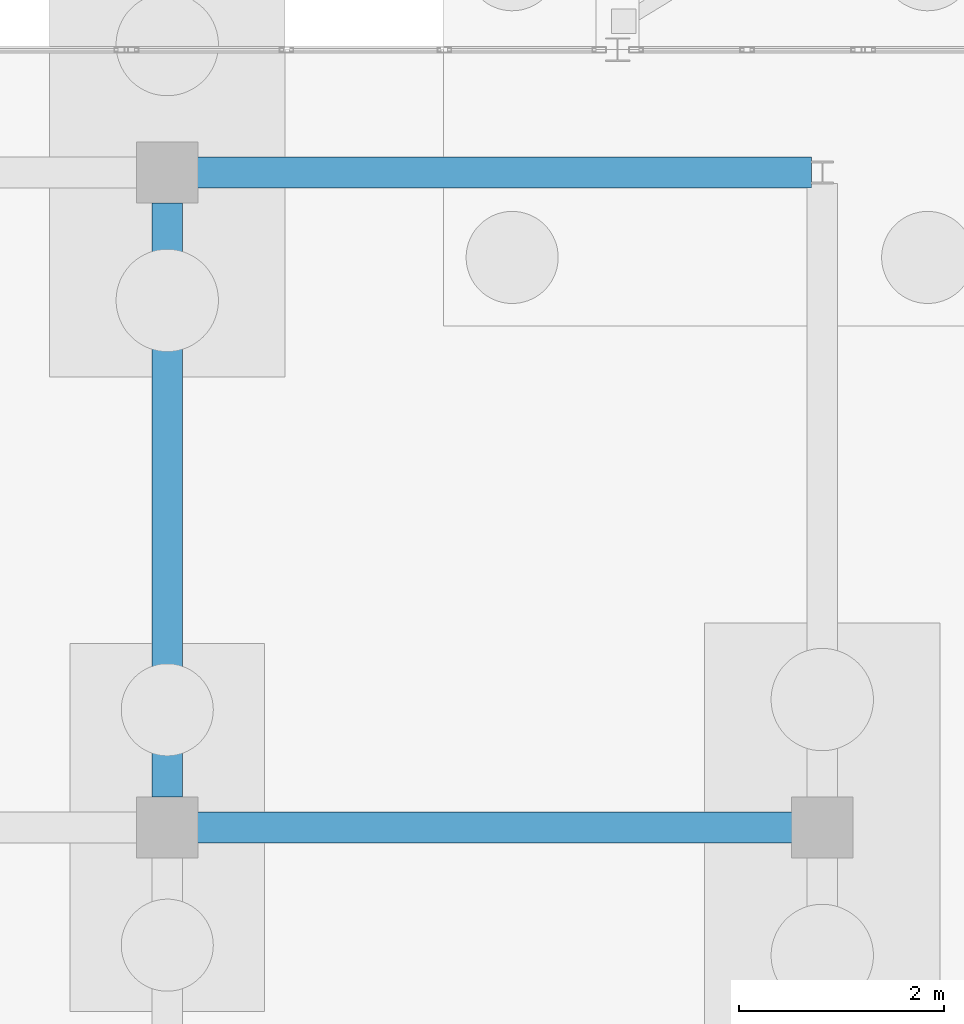
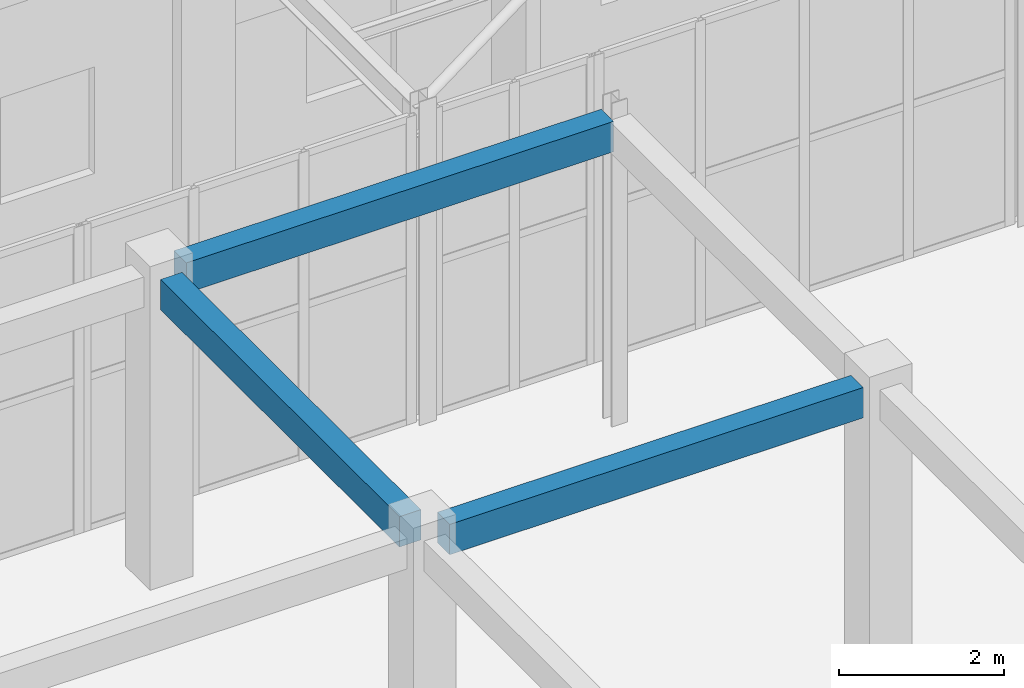
# One storey, part 89 of 192: 3 beams.
"""IFC4 building model written with IfcOpenShell, lengths in metres."""

from ifc_helpers import new_model, si_unit, direction, frame, origin, origin_2d, place, context, subcontext, project, spatial, rectangle, extrude, material, material_profile, profile_set, type_object, element, save


model = new_model("IFC4")

# Units and contexts
model_context = context("Model", 3, precision=1e-05, world=origin(), true_north=direction((0.0, 1.0)))
body_context = subcontext(model_context, "Body", "Model", "MODEL_VIEW")
ifc_project = project(units=[si_unit("LENGTHUNIT", "METRE"), si_unit("AREAUNIT", "SQUARE_METRE"), si_unit("VOLUMEUNIT", "CUBIC_METRE"), si_unit("PLANEANGLEUNIT", "RADIAN"), si_unit("MASSUNIT", "GRAM", prefix="KILO")], contexts=[model_context])

# Site, building, storey
site_placement = place(None, origin())
site = spatial("IfcSite", under=ifc_project, at=site_placement, CompositionType="ELEMENT")
building_placement = place(site_placement, origin())
building = spatial("IfcBuilding", under=site, at=building_placement, Name="Trelvath General Hospital", CompositionType="ELEMENT")
storey_placement = place(building_placement, origin())
storey = spatial("IfcBuildingStorey", under=building, at=storey_placement, Name="L00", CompositionType="ELEMENT", Elevation=0.0)

# Beams
ifc_material = material(Name="Concrete C35/45", Category="concrete")
ifc_material_profile = material_profile(ifc_material, rectangle(XDim=0.300048828125, YDim=0.449951171875, at=origin_2d()), Name="RCB300x450")
ifc_profile_set = profile_set([ifc_material_profile], Name="Concrete C35/45")
beam_type = type_object("IfcBeamType", Name="Beam RC300x450", PredefinedType="BEAM", material=ifc_profile_set)
beam_1_placement = place(storey_placement, frame((54.696044921875, 79.199951171875, 4.3349609375), z_axis=(1.0, 0.0, 0.0), x_axis=(0.0, 1.0, 0.0)))
element("IfcBeam", 1, at=beam_1_placement, inside=storey, type_object=beam_type, Name="Cube Interior Ring Beam CUBE-W-T0 L00", PredefinedType="BEAM", context=body_context, shape_type="SweptSolid", body=[
    extrude(rectangle(XDim=0.300048828125, YDim=0.449951171875, at=origin_2d()), origin(), (0.0, 0.0, 1.0), 5.807861328125),
])
beam_2_placement = place(storey_placement, frame((54.696044921875, 85.60009765625, 4.3349609375), z_axis=(1.0, 0.0, 0.0), x_axis=(0.0, 1.0, 0.0)))
element("IfcBeam", 2, at=beam_2_placement, inside=storey, type_object=beam_type, Name="Cube Interior Ring Beam CUBE-W-T0 L00", PredefinedType="BEAM", context=body_context, shape_type="SweptSolid", body=[
    extrude(rectangle(XDim=0.300048828125, YDim=0.449951171875, at=origin_2d()), origin(), (0.0, 0.0, 1.0), 5.998046875),
])
beam_3_placement = place(storey_placement, frame((54.39990234375, 79.49609375, 4.3349609375), z_axis=(0.0, 1.0, 0.0), x_axis=(-1.0, 0.0, 0.0)))
element("IfcBeam", 3, at=beam_3_placement, inside=storey, type_object=beam_type, Name="Cube Interior Ring Beam CUBE-W-T0 L00", PredefinedType="BEAM", context=body_context, shape_type="SweptSolid", body=[
    extrude(rectangle(XDim=0.300048828125, YDim=0.449951171875, at=origin_2d()), origin(), (0.0, 0.0, 1.0), 5.807861328125),
])

save(model, "model.ifc")
